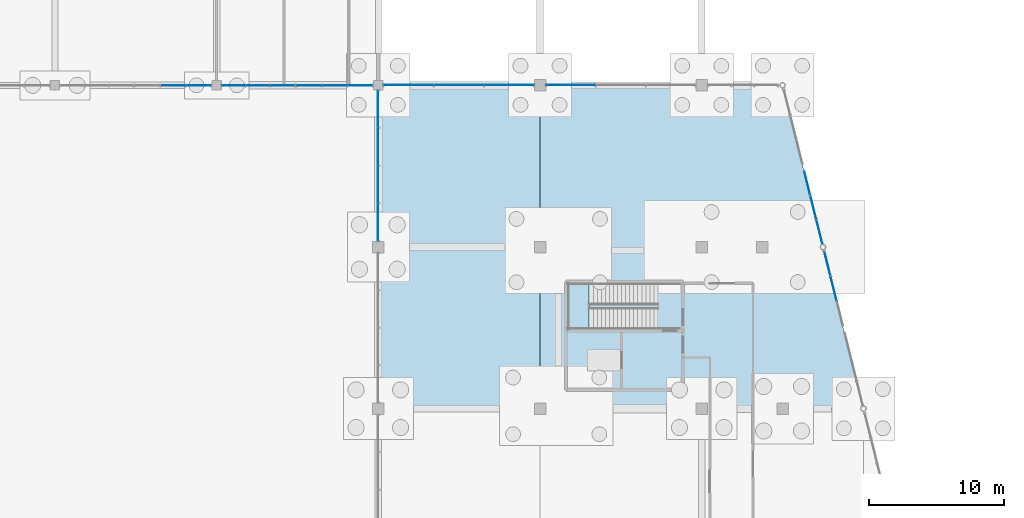
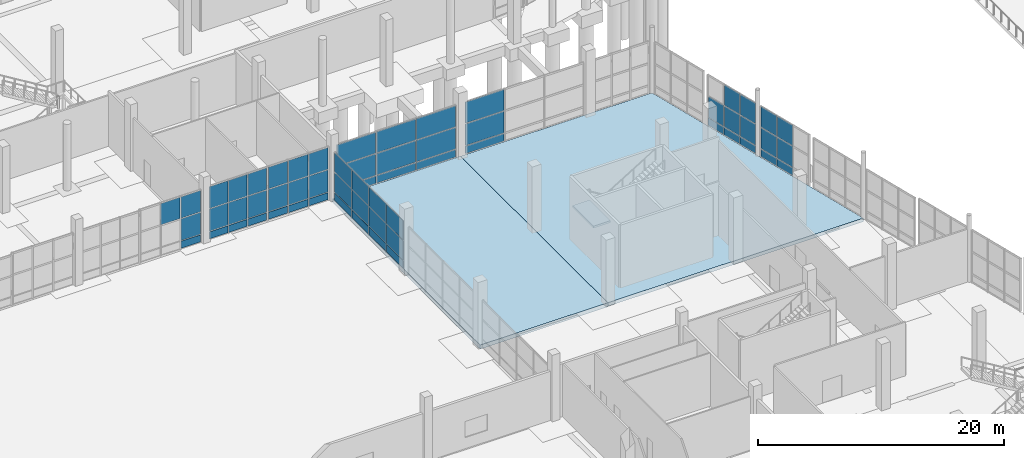
# One storey, part 68 of 117: 60 plates, 3 slabs, 9 elements without a shape of their own.
"""IFC4 building model written with IfcOpenShell, lengths in metres."""

from ifc_helpers import new_model, si_unit, direction, frame, origin, origin_2d, place, context, subcontext, project, spatial, polyline, rectangle, outline, extrude, material, layer, layer_set, type_object, element, aggregate, save


model = new_model("IFC4")

# Units and contexts
model_context = context("Model", 3, precision=1e-05, world=origin(), true_north=direction((0.0, 1.0)))
body_context = subcontext(model_context, "Body", "Model", "MODEL_VIEW")
ifc_project = project(units=[si_unit("LENGTHUNIT", "METRE"), si_unit("AREAUNIT", "SQUARE_METRE"), si_unit("VOLUMEUNIT", "CUBIC_METRE"), si_unit("PLANEANGLEUNIT", "RADIAN"), si_unit("MASSUNIT", "GRAM", prefix="KILO")], contexts=[model_context])

# Site, building, storey
site_placement = place(None, origin())
site = spatial("IfcSite", under=ifc_project, at=site_placement, CompositionType="ELEMENT")
building_placement = place(site_placement, origin())
building = spatial("IfcBuilding", under=site, at=building_placement, Name="Kamomehara Wholesale Market", CompositionType="ELEMENT")
storey_placement = place(building_placement, origin())
storey = spatial("IfcBuildingStorey", under=building, at=storey_placement, Name="L00", CompositionType="ELEMENT", Elevation=0.0)

# Curtain wall, plates
ifc_material_1 = material(Name="Anodised aluminium 6063-T5", Category="aluminium")
curtain_wall_type_1 = type_object("IfcCurtainWallType", Name="CW-UN-03", PredefinedType="NOTDEFINED", material=ifc_material_1)
curtain_wall_1_placement = place(storey_placement, origin())
curtain_wall_1 = element("IfcCurtainWall", 1, at=curtain_wall_1_placement, inside=storey, type_object=curtain_wall_type_1, Name="Unitised curtain wall CW-025", PredefinedType="NOTDEFINED")
ifc_material_2 = material(Name="Solar-control Low-E double glazing", Category="glass")
ifc_layer_1 = layer(ifc_material_2, 0.028076171875)
ifc_layer_set_1 = layer_set([ifc_layer_1], Name="Solar-control Low-E double glazing")
plate_type_1 = type_object("IfcPlateType", Name="CW-PNL-GLZ", PredefinedType="CURTAIN_PANEL", material=ifc_layer_set_1)
plate_1_placement = place(storey_placement, frame((142.64990234375, 95.97998046875, 0.82958984375), z_axis=(0.0, 0.0, 1.0), x_axis=(-1.0, 0.0, 0.0)))
plate_1 = element("IfcPlate", 2, at=plate_1_placement, type_object=plate_type_1, Name="Curtain panel CW-025.0.1", PredefinedType="CURTAIN_PANEL", context=body_context, shape_type="SweptSolid", body=[
    extrude(rectangle(XDim=1.820068359375, YDim=0.028076171875, at=origin_2d()), origin(), (0.0, 0.0, 1.0), 2.158935546875),
])
plate_2_placement = place(storey_placement, frame((142.64990234375, 95.97998046875, 3.04931640625), z_axis=(0.0, 0.0, 1.0), x_axis=(-1.0, 0.0, 0.0)))
plate_2 = element("IfcPlate", 3, at=plate_2_placement, type_object=plate_type_1, Name="Curtain panel CW-025.0.2", PredefinedType="CURTAIN_PANEL", context=body_context, shape_type="SweptSolid", body=[
    extrude(rectangle(XDim=1.820068359375, YDim=0.028076171875, at=origin_2d()), origin(), (0.0, 0.0, 1.0), 2.118896484375),
])
plate_3_placement = place(storey_placement, frame((140.75, 95.97998046875, 3.04931640625), z_axis=(0.0, 0.0, 1.0), x_axis=(-1.0, 0.0, 0.0)))
plate_3 = element("IfcPlate", 4, at=plate_3_placement, type_object=plate_type_1, Name="Curtain panel CW-025.1.2", PredefinedType="CURTAIN_PANEL", context=body_context, shape_type="SweptSolid", body=[
    extrude(rectangle(XDim=1.820068359375, YDim=0.028076171875, at=origin_2d()), origin(), (0.0, 0.0, 1.0), 2.118896484375),
])

curtain_wall_2_placement = place(storey_placement, origin())
curtain_wall_2 = element("IfcCurtainWall", 5, at=curtain_wall_2_placement, inside=storey, type_object=curtain_wall_type_1, Name="Unitised curtain wall CW-027", PredefinedType="NOTDEFINED")
plate_4_placement = place(storey_placement, frame((154.64990234375, 95.97998046875, 0.830078125), z_axis=(0.0, 0.0, 1.0), x_axis=(-1.0, 0.0, 0.0)))
plate_4 = element("IfcPlate", 6, at=plate_4_placement, type_object=plate_type_1, Name="Curtain panel CW-027.0.1", PredefinedType="CURTAIN_PANEL", context=body_context, shape_type="SweptSolid", body=[
    extrude(rectangle(XDim=1.820068359375, YDim=0.028076171875, at=origin_2d()), origin(), (0.0, 0.0, 1.0), 2.194091796875),
])
plate_5_placement = place(storey_placement, frame((154.64990234375, 95.97998046875, 3.083984375), z_axis=(0.0, 0.0, 1.0), x_axis=(-1.0, 0.0, 0.0)))
plate_5 = element("IfcPlate", 7, at=plate_5_placement, type_object=plate_type_1, Name="Curtain panel CW-027.0.2", PredefinedType="CURTAIN_PANEL", context=body_context, shape_type="SweptSolid", body=[
    extrude(rectangle(XDim=1.820068359375, YDim=0.028076171875, at=origin_2d()), origin(), (0.0, 0.0, 1.0), 2.154052734375),
])
plate_6_placement = place(storey_placement, frame((152.75, 95.97998046875, 0.830078125), z_axis=(0.0, 0.0, 1.0), x_axis=(-1.0, 0.0, 0.0)))
plate_6 = element("IfcPlate", 8, at=plate_6_placement, type_object=plate_type_1, Name="Curtain panel CW-027.1.1", PredefinedType="CURTAIN_PANEL", context=body_context, shape_type="SweptSolid", body=[
    extrude(rectangle(XDim=1.820068359375, YDim=0.028076171875, at=origin_2d()), origin(), (0.0, 0.0, 1.0), 2.194091796875),
])
plate_7_placement = place(storey_placement, frame((152.75, 95.97998046875, 3.083984375), z_axis=(0.0, 0.0, 1.0), x_axis=(-1.0, 0.0, 0.0)))
plate_7 = element("IfcPlate", 9, at=plate_7_placement, type_object=plate_type_1, Name="Curtain panel CW-027.1.2", PredefinedType="CURTAIN_PANEL", context=body_context, shape_type="SweptSolid", body=[
    extrude(rectangle(XDim=1.820068359375, YDim=0.028076171875, at=origin_2d()), origin(), (0.0, 0.0, 1.0), 2.154052734375),
])
plate_8_placement = place(storey_placement, frame((150.85009765625, 95.97998046875, 0.830078125), z_axis=(0.0, 0.0, 1.0), x_axis=(-1.0, 0.0, 0.0)))
plate_8 = element("IfcPlate", 10, at=plate_8_placement, type_object=plate_type_1, Name="Curtain panel CW-027.2.1", PredefinedType="CURTAIN_PANEL", context=body_context, shape_type="SweptSolid", body=[
    extrude(rectangle(XDim=1.820068359375, YDim=0.028076171875, at=origin_2d()), origin(), (0.0, 0.0, 1.0), 2.194091796875),
])
plate_9_placement = place(storey_placement, frame((150.85009765625, 95.97998046875, 3.083984375), z_axis=(0.0, 0.0, 1.0), x_axis=(-1.0, 0.0, 0.0)))
plate_9 = element("IfcPlate", 11, at=plate_9_placement, type_object=plate_type_1, Name="Curtain panel CW-027.2.2", PredefinedType="CURTAIN_PANEL", context=body_context, shape_type="SweptSolid", body=[
    extrude(rectangle(XDim=1.820068359375, YDim=0.028076171875, at=origin_2d()), origin(), (0.0, 0.0, 1.0), 2.154052734375),
])

curtain_wall_3_placement = place(storey_placement, origin())
curtain_wall_3 = element("IfcCurtainWall", 12, at=curtain_wall_3_placement, inside=storey, type_object=curtain_wall_type_1, Name="Unitised curtain wall CW-028", PredefinedType="NOTDEFINED")
plate_10_placement = place(storey_placement, frame((148.89306640625, 95.97998046875, 0.830078125), z_axis=(0.0, 0.0, 1.0), x_axis=(-1.0, 0.0, 0.0)))
plate_10 = element("IfcPlate", 13, at=plate_10_placement, type_object=plate_type_1, Name="Curtain panel CW-028.0.1", PredefinedType="CURTAIN_PANEL", context=body_context, shape_type="SweptSolid", body=[
    extrude(rectangle(XDim=1.73291015625, YDim=0.028076171875, at=origin_2d()), origin(), (0.0, 0.0, 1.0), 2.194091796875),
])
plate_11_placement = place(storey_placement, frame((148.89306640625, 95.97998046875, 3.083984375), z_axis=(0.0, 0.0, 1.0), x_axis=(-1.0, 0.0, 0.0)))
plate_11 = element("IfcPlate", 14, at=plate_11_placement, type_object=plate_type_1, Name="Curtain panel CW-028.0.2", PredefinedType="CURTAIN_PANEL", context=body_context, shape_type="SweptSolid", body=[
    extrude(rectangle(XDim=1.73291015625, YDim=0.028076171875, at=origin_2d()), origin(), (0.0, 0.0, 1.0), 2.154052734375),
])
plate_12_placement = place(storey_placement, frame((147.080078125, 95.97998046875, 0.830078125), z_axis=(0.0, 0.0, 1.0), x_axis=(-1.0, 0.0, 0.0)))
plate_12 = element("IfcPlate", 15, at=plate_12_placement, type_object=plate_type_1, Name="Curtain panel CW-028.1.1", PredefinedType="CURTAIN_PANEL", context=body_context, shape_type="SweptSolid", body=[
    extrude(rectangle(XDim=1.73291015625, YDim=0.028076171875, at=origin_2d()), origin(), (0.0, 0.0, 1.0), 2.194091796875),
])
plate_13_placement = place(storey_placement, frame((147.080078125, 95.97998046875, 3.083984375), z_axis=(0.0, 0.0, 1.0), x_axis=(-1.0, 0.0, 0.0)))
plate_13 = element("IfcPlate", 16, at=plate_13_placement, type_object=plate_type_1, Name="Curtain panel CW-028.1.2", PredefinedType="CURTAIN_PANEL", context=body_context, shape_type="SweptSolid", body=[
    extrude(rectangle(XDim=1.73291015625, YDim=0.028076171875, at=origin_2d()), origin(), (0.0, 0.0, 1.0), 2.154052734375),
])
plate_14_placement = place(storey_placement, frame((145.26708984375, 95.97998046875, 0.830078125), z_axis=(0.0, 0.0, 1.0), x_axis=(-1.0, 0.0, 0.0)))
plate_14 = element("IfcPlate", 17, at=plate_14_placement, type_object=plate_type_1, Name="Curtain panel CW-028.2.1", PredefinedType="CURTAIN_PANEL", context=body_context, shape_type="SweptSolid", body=[
    extrude(rectangle(XDim=1.73291015625, YDim=0.028076171875, at=origin_2d()), origin(), (0.0, 0.0, 1.0), 2.194091796875),
])
plate_15_placement = place(storey_placement, frame((145.26708984375, 95.97998046875, 3.083984375), z_axis=(0.0, 0.0, 1.0), x_axis=(-1.0, 0.0, 0.0)))
plate_15 = element("IfcPlate", 18, at=plate_15_placement, type_object=plate_type_1, Name="Curtain panel CW-028.2.2", PredefinedType="CURTAIN_PANEL", context=body_context, shape_type="SweptSolid", body=[
    extrude(rectangle(XDim=1.73291015625, YDim=0.028076171875, at=origin_2d()), origin(), (0.0, 0.0, 1.0), 2.154052734375),
])

ifc_material_3 = material(Name="Anodised aluminium 6063-T5", Category="aluminium")
curtain_wall_type_2 = type_object("IfcCurtainWallType", Name="CW-UN-09", PredefinedType="NOTDEFINED", material=ifc_material_3)
curtain_wall_4_placement = place(storey_placement, origin())
curtain_wall_4 = element("IfcCurtainWall", 19, at=curtain_wall_4_placement, inside=storey, type_object=curtain_wall_type_2, Name="Unitised curtain wall CW-167", PredefinedType="NOTDEFINED")
plate_16_placement = place(storey_placement, frame((189.333984375, 82.74609375, 0.87939453125), z_axis=(0.0, 0.0, 1.0), x_axis=(0.242616162662, -0.970122362187, 0.0)))
plate_16 = element("IfcPlate", 20, at=plate_16_placement, type_object=plate_type_1, Name="Curtain panel CW-167.0.1", PredefinedType="CURTAIN_PANEL", context=body_context, shape_type="SweptSolid", body=[
    extrude(rectangle(XDim=1.81494140625, YDim=0.028076171875, at=origin_2d()), origin(), (0.0, 0.0, 1.0), 2.0791015625),
])
plate_17_placement = place(storey_placement, frame((189.333984375, 82.74609375, 3.0185546875), z_axis=(0.0, 0.0, 1.0), x_axis=(0.242616162662, -0.970122362187, 0.0)))
plate_17 = element("IfcPlate", 21, at=plate_17_placement, type_object=plate_type_1, Name="Curtain panel CW-167.0.2", PredefinedType="CURTAIN_PANEL", context=body_context, shape_type="SweptSolid", body=[
    extrude(rectangle(XDim=1.81494140625, YDim=0.028076171875, at=origin_2d()), origin(), (0.0, 0.0, 1.0), 2.0390625),
])
plate_18_placement = place(storey_placement, frame((189.7939453125, 80.907958984375, 0.87939453125), z_axis=(0.0, 0.0, 1.0), x_axis=(0.242616162662, -0.970122362187, 0.0)))
plate_18 = element("IfcPlate", 22, at=plate_18_placement, type_object=plate_type_1, Name="Curtain panel CW-167.1.1", PredefinedType="CURTAIN_PANEL", context=body_context, shape_type="SweptSolid", body=[
    extrude(rectangle(XDim=1.81494140625, YDim=0.028076171875, at=origin_2d()), origin(), (0.0, 0.0, 1.0), 2.0791015625),
])
plate_19_placement = place(storey_placement, frame((189.7939453125, 80.907958984375, 3.0185546875), z_axis=(0.0, 0.0, 1.0), x_axis=(0.242616162662, -0.970122362187, 0.0)))
plate_19 = element("IfcPlate", 23, at=plate_19_placement, type_object=plate_type_1, Name="Curtain panel CW-167.1.2", PredefinedType="CURTAIN_PANEL", context=body_context, shape_type="SweptSolid", body=[
    extrude(rectangle(XDim=1.81494140625, YDim=0.028076171875, at=origin_2d()), origin(), (0.0, 0.0, 1.0), 2.0390625),
])

curtain_wall_5_placement = place(storey_placement, origin())
curtain_wall_5 = element("IfcCurtainWall", 24, at=curtain_wall_5_placement, inside=storey, type_object=curtain_wall_type_2, Name="Unitised curtain wall CW-170", PredefinedType="NOTDEFINED")
plate_20_placement = place(storey_placement, frame((187.83203125, 88.756103515625, 0.87939453125), z_axis=(0.0, 0.0, 1.0), x_axis=(0.242497638046, -0.970151996103, 0.0)))
plate_20 = element("IfcPlate", 25, at=plate_20_placement, type_object=plate_type_1, Name="Curtain panel CW-170.0.1", PredefinedType="CURTAIN_PANEL", context=body_context, shape_type="SweptSolid", body=[
    extrude(rectangle(XDim=1.7939453125, YDim=0.028076171875, at=origin_2d()), origin(), (0.0, 0.0, 1.0), 2.0791015625),
])
plate_21_placement = place(storey_placement, frame((188.285888671875, 86.93798828125, 0.87939453125), z_axis=(0.0, 0.0, 1.0), x_axis=(0.242497638046, -0.970151996103, 0.0)))
plate_21 = element("IfcPlate", 26, at=plate_21_placement, type_object=plate_type_1, Name="Curtain panel CW-170.1.1", PredefinedType="CURTAIN_PANEL", context=body_context, shape_type="SweptSolid", body=[
    extrude(rectangle(XDim=1.7939453125, YDim=0.028076171875, at=origin_2d()), origin(), (0.0, 0.0, 1.0), 2.0791015625),
])
plate_22_placement = place(storey_placement, frame((188.285888671875, 86.93798828125, 3.0185546875), z_axis=(0.0, 0.0, 1.0), x_axis=(0.242497638046, -0.970151996103, 0.0)))
plate_22 = element("IfcPlate", 27, at=plate_22_placement, type_object=plate_type_1, Name="Curtain panel CW-170.1.2", PredefinedType="CURTAIN_PANEL", context=body_context, shape_type="SweptSolid", body=[
    extrude(rectangle(XDim=1.7939453125, YDim=0.028076171875, at=origin_2d()), origin(), (0.0, 0.0, 1.0), 2.0390625),
])
plate_23_placement = place(storey_placement, frame((188.739990234375, 85.12109375, 0.87939453125), z_axis=(0.0, 0.0, 1.0), x_axis=(0.242497638046, -0.970151996103, 0.0)))
plate_23 = element("IfcPlate", 28, at=plate_23_placement, type_object=plate_type_1, Name="Curtain panel CW-170.2.1", PredefinedType="CURTAIN_PANEL", context=body_context, shape_type="SweptSolid", body=[
    extrude(rectangle(XDim=1.7939453125, YDim=0.028076171875, at=origin_2d()), origin(), (0.0, 0.0, 1.0), 2.0791015625),
])
plate_24_placement = place(storey_placement, frame((188.739990234375, 85.12109375, 3.0185546875), z_axis=(0.0, 0.0, 1.0), x_axis=(0.242497638046, -0.970151996103, 0.0)))
plate_24 = element("IfcPlate", 29, at=plate_24_placement, type_object=plate_type_1, Name="Curtain panel CW-170.2.2", PredefinedType="CURTAIN_PANEL", context=body_context, shape_type="SweptSolid", body=[
    extrude(rectangle(XDim=1.7939453125, YDim=0.028076171875, at=origin_2d()), origin(), (0.0, 0.0, 1.0), 2.0390625),
])

ifc_material_4 = material(Name="Anodised aluminium 6063-T5", Category="aluminium")
curtain_wall_type_3 = type_object("IfcCurtainWallType", Name="CW-UN-08", PredefinedType="NOTDEFINED", material=ifc_material_4)
curtain_wall_6_placement = place(storey_placement, origin())
curtain_wall_6 = element("IfcCurtainWall", 30, at=curtain_wall_6_placement, inside=storey, type_object=curtain_wall_type_3, Name="Unitised curtain wall CW-171", PredefinedType="NOTDEFINED")
plate_25_placement = place(storey_placement, frame((158.22802734375, 96.02001953125, 0.88037109375), z_axis=(0.0, 0.0, 1.0), x_axis=(1.0, 0.0, 0.0)))
plate_25 = element("IfcPlate", 31, at=plate_25_placement, type_object=plate_type_1, Name="Curtain panel CW-171.0.1", PredefinedType="CURTAIN_PANEL", context=body_context, shape_type="SweptSolid", body=[
    extrude(rectangle(XDim=3.655029296875, YDim=0.028076171875, at=origin_2d()), origin(), (0.0, 0.0, 1.0), 2.138916015625),
])
plate_26_placement = place(storey_placement, frame((158.22802734375, 96.02001953125, 3.078369140625), z_axis=(0.0, 0.0, 1.0), x_axis=(1.0, 0.0, 0.0)))
plate_26 = element("IfcPlate", 32, at=plate_26_placement, type_object=plate_type_1, Name="Curtain panel CW-171.0.2", PredefinedType="CURTAIN_PANEL", context=body_context, shape_type="SweptSolid", body=[
    extrude(rectangle(XDim=3.655029296875, YDim=0.028076171875, at=origin_2d()), origin(), (0.0, 0.0, 1.0), 2.09912109375),
])
plate_27_placement = place(storey_placement, frame((161.962890625, 96.02001953125, 0.88037109375), z_axis=(0.0, 0.0, 1.0), x_axis=(1.0, 0.0, 0.0)))
plate_27 = element("IfcPlate", 33, at=plate_27_placement, type_object=plate_type_1, Name="Curtain panel CW-171.1.1", PredefinedType="CURTAIN_PANEL", context=body_context, shape_type="SweptSolid", body=[
    extrude(rectangle(XDim=3.655029296875, YDim=0.028076171875, at=origin_2d()), origin(), (0.0, 0.0, 1.0), 2.138916015625),
])
plate_28_placement = place(storey_placement, frame((161.962890625, 96.02001953125, 3.078369140625), z_axis=(0.0, 0.0, 1.0), x_axis=(1.0, 0.0, 0.0)))
plate_28 = element("IfcPlate", 34, at=plate_28_placement, type_object=plate_type_1, Name="Curtain panel CW-171.1.2", PredefinedType="CURTAIN_PANEL", context=body_context, shape_type="SweptSolid", body=[
    extrude(rectangle(XDim=3.655029296875, YDim=0.028076171875, at=origin_2d()), origin(), (0.0, 0.0, 1.0), 2.09912109375),
])
plate_29_placement = place(storey_placement, frame((165.697021484375, 96.02001953125, 0.88037109375), z_axis=(0.0, 0.0, 1.0), x_axis=(1.0, 0.0, 0.0)))
plate_29 = element("IfcPlate", 35, at=plate_29_placement, type_object=plate_type_1, Name="Curtain panel CW-171.2.1", PredefinedType="CURTAIN_PANEL", context=body_context, shape_type="SweptSolid", body=[
    extrude(rectangle(XDim=3.655029296875, YDim=0.028076171875, at=origin_2d()), origin(), (0.0, 0.0, 1.0), 2.138916015625),
])
plate_30_placement = place(storey_placement, frame((165.697021484375, 96.02001953125, 3.078369140625), z_axis=(0.0, 0.0, 1.0), x_axis=(1.0, 0.0, 0.0)))
plate_30 = element("IfcPlate", 36, at=plate_30_placement, type_object=plate_type_1, Name="Curtain panel CW-171.2.2", PredefinedType="CURTAIN_PANEL", context=body_context, shape_type="SweptSolid", body=[
    extrude(rectangle(XDim=3.655029296875, YDim=0.028076171875, at=origin_2d()), origin(), (0.0, 0.0, 1.0), 2.09912109375),
])

curtain_wall_7_placement = place(storey_placement, origin())
curtain_wall_7 = element("IfcCurtainWall", 37, at=curtain_wall_7_placement, inside=storey, type_object=curtain_wall_type_3, Name="Unitised curtain wall CW-172", PredefinedType="NOTDEFINED")
plate_31_placement = place(storey_placement, frame((170.2900390625, 96.02001953125, 0.8798828125), z_axis=(0.0, 0.0, 1.0), x_axis=(1.0, 0.0, 0.0)))
plate_31 = element("IfcPlate", 38, at=plate_31_placement, type_object=plate_type_1, Name="Curtain panel CW-172.0.1", PredefinedType="CURTAIN_PANEL", context=body_context, shape_type="SweptSolid", body=[
    extrude(rectangle(XDim=3.6298828125, YDim=0.028076171875, at=origin_2d()), origin(), (0.0, 0.0, 1.0), 2.154052734375),
])
plate_32_placement = place(storey_placement, frame((170.2900390625, 96.02001953125, 3.09375), z_axis=(0.0, 0.0, 1.0), x_axis=(1.0, 0.0, 0.0)))
plate_32 = element("IfcPlate", 39, at=plate_32_placement, type_object=plate_type_1, Name="Curtain panel CW-172.0.2", PredefinedType="CURTAIN_PANEL", context=body_context, shape_type="SweptSolid", body=[
    extrude(rectangle(XDim=3.6298828125, YDim=0.028076171875, at=origin_2d()), origin(), (0.0, 0.0, 1.0), 2.114013671875),
])

ifc_material_5 = material(Name="Anodised aluminium 6063-T5", Category="aluminium")
curtain_wall_type_4 = type_object("IfcCurtainWallType", Name="CW-UN-01", PredefinedType="NOTDEFINED", material=ifc_material_5)
curtain_wall_8_placement = place(storey_placement, origin())
curtain_wall_8 = element("IfcCurtainWall", 40, at=curtain_wall_8_placement, inside=storey, type_object=curtain_wall_type_4, Name="Unitised curtain wall CW-176", PredefinedType="NOTDEFINED")
plate_33_placement = place(storey_placement, frame((155.97998046875, 85.8359375, 0.880615234375), z_axis=(0.0, 0.0, 1.0), x_axis=(0.0, 1.0, 0.0)))
plate_33 = element("IfcPlate", 41, at=plate_33_placement, type_object=plate_type_1, Name="Curtain panel CW-176.0.1", PredefinedType="CURTAIN_PANEL", context=body_context, shape_type="SweptSolid", body=[
    extrude(rectangle(XDim=2.720947265625, YDim=0.028076171875, at=origin_2d()), origin(), (0.0, 0.0, 1.0), 1.93896484375),
])
plate_34_placement = place(storey_placement, frame((155.97998046875, 85.8359375, 2.879638671875), z_axis=(0.0, 0.0, 1.0), x_axis=(0.0, 1.0, 0.0)))
plate_34 = element("IfcPlate", 42, at=plate_34_placement, type_object=plate_type_1, Name="Curtain panel CW-176.0.2", PredefinedType="CURTAIN_PANEL", context=body_context, shape_type="SweptSolid", body=[
    extrude(rectangle(XDim=2.720947265625, YDim=0.028076171875, at=origin_2d()), origin(), (0.0, 0.0, 1.0), 1.89892578125),
])
plate_35_placement = place(storey_placement, frame((155.97998046875, 88.636962890625, 0.880615234375), z_axis=(0.0, 0.0, 1.0), x_axis=(0.0, 1.0, 0.0)))
plate_35 = element("IfcPlate", 43, at=plate_35_placement, type_object=plate_type_1, Name="Curtain panel CW-176.1.1", PredefinedType="CURTAIN_PANEL", context=body_context, shape_type="SweptSolid", body=[
    extrude(rectangle(XDim=2.720947265625, YDim=0.028076171875, at=origin_2d()), origin(), (0.0, 0.0, 1.0), 1.93896484375),
])
plate_36_placement = place(storey_placement, frame((155.97998046875, 88.636962890625, 2.879638671875), z_axis=(0.0, 0.0, 1.0), x_axis=(0.0, 1.0, 0.0)))
plate_36 = element("IfcPlate", 44, at=plate_36_placement, type_object=plate_type_1, Name="Curtain panel CW-176.1.2", PredefinedType="CURTAIN_PANEL", context=body_context, shape_type="SweptSolid", body=[
    extrude(rectangle(XDim=2.720947265625, YDim=0.028076171875, at=origin_2d()), origin(), (0.0, 0.0, 1.0), 1.89892578125),
])
plate_37_placement = place(storey_placement, frame((155.97998046875, 91.43798828125, 0.880615234375), z_axis=(0.0, 0.0, 1.0), x_axis=(0.0, 1.0, 0.0)))
plate_37 = element("IfcPlate", 45, at=plate_37_placement, type_object=plate_type_1, Name="Curtain panel CW-176.2.1", PredefinedType="CURTAIN_PANEL", context=body_context, shape_type="SweptSolid", body=[
    extrude(rectangle(XDim=2.720947265625, YDim=0.028076171875, at=origin_2d()), origin(), (0.0, 0.0, 1.0), 1.93896484375),
])
plate_38_placement = place(storey_placement, frame((155.97998046875, 91.43798828125, 2.879638671875), z_axis=(0.0, 0.0, 1.0), x_axis=(0.0, 1.0, 0.0)))
plate_38 = element("IfcPlate", 46, at=plate_38_placement, type_object=plate_type_1, Name="Curtain panel CW-176.2.2", PredefinedType="CURTAIN_PANEL", context=body_context, shape_type="SweptSolid", body=[
    extrude(rectangle(XDim=2.720947265625, YDim=0.028076171875, at=origin_2d()), origin(), (0.0, 0.0, 1.0), 1.89892578125),
])
plate_39_placement = place(storey_placement, frame((155.97998046875, 94.239013671875, 0.880615234375), z_axis=(0.0, 0.0, 1.0), x_axis=(0.0, 1.0, 0.0)))
plate_39 = element("IfcPlate", 47, at=plate_39_placement, type_object=plate_type_1, Name="Curtain panel CW-176.3.1", PredefinedType="CURTAIN_PANEL", context=body_context, shape_type="SweptSolid", body=[
    extrude(rectangle(XDim=2.720947265625, YDim=0.028076171875, at=origin_2d()), origin(), (0.0, 0.0, 1.0), 1.93896484375),
])
plate_40_placement = place(storey_placement, frame((155.97998046875, 94.239013671875, 2.879638671875), z_axis=(0.0, 0.0, 1.0), x_axis=(0.0, 1.0, 0.0)))
plate_40 = element("IfcPlate", 48, at=plate_40_placement, type_object=plate_type_1, Name="Curtain panel CW-176.3.2", PredefinedType="CURTAIN_PANEL", context=body_context, shape_type="SweptSolid", body=[
    extrude(rectangle(XDim=2.720947265625, YDim=0.028076171875, at=origin_2d()), origin(), (0.0, 0.0, 1.0), 1.89892578125),
])

# Plate
ifc_material_6 = material(Name="Insulated aluminium spandrel panel", Category="aluminium")
ifc_layer_2 = layer(ifc_material_6, 0.0400390625)
ifc_layer_set_2 = layer_set([ifc_layer_2], Name="Insulated aluminium spandrel panel")
plate_type_2 = type_object("IfcPlateType", Name="CW-PNL-SPN", PredefinedType="CURTAIN_PANEL", material=ifc_layer_set_2)
plate_41_placement = place(storey_placement, frame((142.64990234375, 95.97998046875, 0.06982421875), z_axis=(0.0, 0.0, 1.0), x_axis=(-1.0, 0.0, 0.0)))
plate_41 = element("IfcPlate", 49, at=plate_41_placement, type_object=plate_type_2, Name="Curtain panel CW-025.0.0", PredefinedType="CURTAIN_PANEL", context=body_context, shape_type="SweptSolid", body=[
    extrude(rectangle(XDim=1.820068359375, YDim=0.0400390625, at=origin_2d()), origin(), (0.0, 0.0, 1.0), 0.699951171875),
])

aggregate(curtain_wall_1, [plate_41, plate_1, plate_2, plate_3])

plate_42_placement = place(storey_placement, frame((154.64990234375, 95.97998046875, 0.06982421875), z_axis=(0.0, 0.0, 1.0), x_axis=(-1.0, 0.0, 0.0)))
plate_42 = element("IfcPlate", 50, at=plate_42_placement, type_object=plate_type_2, Name="Curtain panel CW-027.0.0", PredefinedType="CURTAIN_PANEL", context=body_context, shape_type="SweptSolid", body=[
    extrude(rectangle(XDim=1.820068359375, YDim=0.0400390625, at=origin_2d()), origin(), (0.0, 0.0, 1.0), 0.699951171875),
])

plate_43_placement = place(storey_placement, frame((152.75, 95.97998046875, 0.06982421875), z_axis=(0.0, 0.0, 1.0), x_axis=(-1.0, 0.0, 0.0)))
plate_43 = element("IfcPlate", 51, at=plate_43_placement, type_object=plate_type_2, Name="Curtain panel CW-027.1.0", PredefinedType="CURTAIN_PANEL", context=body_context, shape_type="SweptSolid", body=[
    extrude(rectangle(XDim=1.820068359375, YDim=0.0400390625, at=origin_2d()), origin(), (0.0, 0.0, 1.0), 0.699951171875),
])

plate_44_placement = place(storey_placement, frame((150.85009765625, 95.97998046875, 0.06982421875), z_axis=(0.0, 0.0, 1.0), x_axis=(-1.0, 0.0, 0.0)))
plate_44 = element("IfcPlate", 52, at=plate_44_placement, type_object=plate_type_2, Name="Curtain panel CW-027.2.0", PredefinedType="CURTAIN_PANEL", context=body_context, shape_type="SweptSolid", body=[
    extrude(rectangle(XDim=1.820068359375, YDim=0.0400390625, at=origin_2d()), origin(), (0.0, 0.0, 1.0), 0.699951171875),
])

aggregate(curtain_wall_2, [plate_42, plate_4, plate_5, plate_43, plate_6, plate_7, plate_44, plate_8, plate_9])

plate_45_placement = place(storey_placement, frame((148.89306640625, 95.97998046875, 0.06982421875), z_axis=(0.0, 0.0, 1.0), x_axis=(-1.0, 0.0, 0.0)))
plate_45 = element("IfcPlate", 53, at=plate_45_placement, type_object=plate_type_2, Name="Curtain panel CW-028.0.0", PredefinedType="CURTAIN_PANEL", context=body_context, shape_type="SweptSolid", body=[
    extrude(rectangle(XDim=1.73291015625, YDim=0.0400390625, at=origin_2d()), origin(), (0.0, 0.0, 1.0), 0.699951171875),
])

plate_46_placement = place(storey_placement, frame((147.080078125, 95.97998046875, 0.06982421875), z_axis=(0.0, 0.0, 1.0), x_axis=(-1.0, 0.0, 0.0)))
plate_46 = element("IfcPlate", 54, at=plate_46_placement, type_object=plate_type_2, Name="Curtain panel CW-028.1.0", PredefinedType="CURTAIN_PANEL", context=body_context, shape_type="SweptSolid", body=[
    extrude(rectangle(XDim=1.73291015625, YDim=0.0400390625, at=origin_2d()), origin(), (0.0, 0.0, 1.0), 0.699951171875),
])

plate_47_placement = place(storey_placement, frame((145.26708984375, 95.97998046875, 0.06982421875), z_axis=(0.0, 0.0, 1.0), x_axis=(-1.0, 0.0, 0.0)))
plate_47 = element("IfcPlate", 55, at=plate_47_placement, type_object=plate_type_2, Name="Curtain panel CW-028.2.0", PredefinedType="CURTAIN_PANEL", context=body_context, shape_type="SweptSolid", body=[
    extrude(rectangle(XDim=1.73291015625, YDim=0.0400390625, at=origin_2d()), origin(), (0.0, 0.0, 1.0), 0.699951171875),
])

aggregate(curtain_wall_3, [plate_45, plate_10, plate_11, plate_46, plate_12, plate_13, plate_47, plate_14, plate_15])

plate_48_placement = place(storey_placement, frame((189.333984375, 82.74609375, 0.070068359375), z_axis=(0.0, 0.0, 1.0), x_axis=(0.242616162662, -0.970122362187, 0.0)))
plate_48 = element("IfcPlate", 56, at=plate_48_placement, type_object=plate_type_2, Name="Curtain panel CW-167.0.0", PredefinedType="CURTAIN_PANEL", context=body_context, shape_type="SweptSolid", body=[
    extrude(rectangle(XDim=1.81494140625, YDim=0.0400390625, at=origin_2d()), origin(), (0.0, 0.0, 1.0), 0.75),
])

plate_49_placement = place(storey_placement, frame((189.7939453125, 80.907958984375, 0.070068359375), z_axis=(0.0, 0.0, 1.0), x_axis=(0.242616162662, -0.970122362187, 0.0)))
plate_49 = element("IfcPlate", 57, at=plate_49_placement, type_object=plate_type_2, Name="Curtain panel CW-167.1.0", PredefinedType="CURTAIN_PANEL", context=body_context, shape_type="SweptSolid", body=[
    extrude(rectangle(XDim=1.81494140625, YDim=0.0400390625, at=origin_2d()), origin(), (0.0, 0.0, 1.0), 0.75),
])

aggregate(curtain_wall_4, [plate_48, plate_16, plate_17, plate_49, plate_18, plate_19])

plate_50_placement = place(storey_placement, frame((187.83203125, 88.756103515625, 0.070068359375), z_axis=(0.0, 0.0, 1.0), x_axis=(0.242497638046, -0.970151996103, 0.0)))
plate_50 = element("IfcPlate", 58, at=plate_50_placement, type_object=plate_type_2, Name="Curtain panel CW-170.0.0", PredefinedType="CURTAIN_PANEL", context=body_context, shape_type="SweptSolid", body=[
    extrude(rectangle(XDim=1.7939453125, YDim=0.0400390625, at=origin_2d()), origin(), (0.0, 0.0, 1.0), 0.75),
])

plate_51_placement = place(storey_placement, frame((188.285888671875, 86.93798828125, 0.070068359375), z_axis=(0.0, 0.0, 1.0), x_axis=(0.242497638046, -0.970151996103, 0.0)))
plate_51 = element("IfcPlate", 59, at=plate_51_placement, type_object=plate_type_2, Name="Curtain panel CW-170.1.0", PredefinedType="CURTAIN_PANEL", context=body_context, shape_type="SweptSolid", body=[
    extrude(rectangle(XDim=1.7939453125, YDim=0.0400390625, at=origin_2d()), origin(), (0.0, 0.0, 1.0), 0.75),
])

plate_52_placement = place(storey_placement, frame((188.739990234375, 85.12109375, 0.070068359375), z_axis=(0.0, 0.0, 1.0), x_axis=(0.242497638046, -0.970151996103, 0.0)))
plate_52 = element("IfcPlate", 60, at=plate_52_placement, type_object=plate_type_2, Name="Curtain panel CW-170.2.0", PredefinedType="CURTAIN_PANEL", context=body_context, shape_type="SweptSolid", body=[
    extrude(rectangle(XDim=1.7939453125, YDim=0.0400390625, at=origin_2d()), origin(), (0.0, 0.0, 1.0), 0.75),
])

aggregate(curtain_wall_5, [plate_50, plate_20, plate_51, plate_21, plate_22, plate_52, plate_23, plate_24])

plate_53_placement = place(storey_placement, frame((158.22802734375, 96.02001953125, 0.070068359375), z_axis=(0.0, 0.0, 1.0), x_axis=(1.0, 0.0, 0.0)))
plate_53 = element("IfcPlate", 61, at=plate_53_placement, type_object=plate_type_2, Name="Curtain panel CW-171.0.0", PredefinedType="CURTAIN_PANEL", context=body_context, shape_type="SweptSolid", body=[
    extrude(rectangle(XDim=3.655029296875, YDim=0.0400390625, at=origin_2d()), origin(), (0.0, 0.0, 1.0), 0.75),
])

plate_54_placement = place(storey_placement, frame((161.962890625, 96.02001953125, 0.070068359375), z_axis=(0.0, 0.0, 1.0), x_axis=(1.0, 0.0, 0.0)))
plate_54 = element("IfcPlate", 62, at=plate_54_placement, type_object=plate_type_2, Name="Curtain panel CW-171.1.0", PredefinedType="CURTAIN_PANEL", context=body_context, shape_type="SweptSolid", body=[
    extrude(rectangle(XDim=3.655029296875, YDim=0.0400390625, at=origin_2d()), origin(), (0.0, 0.0, 1.0), 0.75),
])

plate_55_placement = place(storey_placement, frame((165.697021484375, 96.02001953125, 0.070068359375), z_axis=(0.0, 0.0, 1.0), x_axis=(1.0, 0.0, 0.0)))
plate_55 = element("IfcPlate", 63, at=plate_55_placement, type_object=plate_type_2, Name="Curtain panel CW-171.2.0", PredefinedType="CURTAIN_PANEL", context=body_context, shape_type="SweptSolid", body=[
    extrude(rectangle(XDim=3.655029296875, YDim=0.0400390625, at=origin_2d()), origin(), (0.0, 0.0, 1.0), 0.75),
])

aggregate(curtain_wall_6, [plate_53, plate_25, plate_26, plate_54, plate_27, plate_28, plate_55, plate_29, plate_30])

plate_56_placement = place(storey_placement, frame((170.2900390625, 96.02001953125, 0.070068359375), z_axis=(0.0, 0.0, 1.0), x_axis=(1.0, 0.0, 0.0)))
plate_56 = element("IfcPlate", 64, at=plate_56_placement, type_object=plate_type_2, Name="Curtain panel CW-172.0.0", PredefinedType="CURTAIN_PANEL", context=body_context, shape_type="SweptSolid", body=[
    extrude(rectangle(XDim=3.6298828125, YDim=0.0400390625, at=origin_2d()), origin(), (0.0, 0.0, 1.0), 0.75),
])

aggregate(curtain_wall_7, [plate_56, plate_31, plate_32])

plate_57_placement = place(storey_placement, frame((155.97998046875, 85.8359375, 0.070068359375), z_axis=(0.0, 0.0, 1.0), x_axis=(0.0, 1.0, 0.0)))
plate_57 = element("IfcPlate", 65, at=plate_57_placement, type_object=plate_type_2, Name="Curtain panel CW-176.0.0", PredefinedType="CURTAIN_PANEL", context=body_context, shape_type="SweptSolid", body=[
    extrude(rectangle(XDim=2.720947265625, YDim=0.0400390625, at=origin_2d()), origin(), (0.0, 0.0, 1.0), 0.75),
])

plate_58_placement = place(storey_placement, frame((155.97998046875, 88.636962890625, 0.070068359375), z_axis=(0.0, 0.0, 1.0), x_axis=(0.0, 1.0, 0.0)))
plate_58 = element("IfcPlate", 66, at=plate_58_placement, type_object=plate_type_2, Name="Curtain panel CW-176.1.0", PredefinedType="CURTAIN_PANEL", context=body_context, shape_type="SweptSolid", body=[
    extrude(rectangle(XDim=2.720947265625, YDim=0.0400390625, at=origin_2d()), origin(), (0.0, 0.0, 1.0), 0.75),
])

plate_59_placement = place(storey_placement, frame((155.97998046875, 91.43798828125, 0.070068359375), z_axis=(0.0, 0.0, 1.0), x_axis=(0.0, 1.0, 0.0)))
plate_59 = element("IfcPlate", 67, at=plate_59_placement, type_object=plate_type_2, Name="Curtain panel CW-176.2.0", PredefinedType="CURTAIN_PANEL", context=body_context, shape_type="SweptSolid", body=[
    extrude(rectangle(XDim=2.720947265625, YDim=0.0400390625, at=origin_2d()), origin(), (0.0, 0.0, 1.0), 0.75),
])

plate_60_placement = place(storey_placement, frame((155.97998046875, 94.239013671875, 0.070068359375), z_axis=(0.0, 0.0, 1.0), x_axis=(0.0, 1.0, 0.0)))
plate_60 = element("IfcPlate", 68, at=plate_60_placement, type_object=plate_type_2, Name="Curtain panel CW-176.3.0", PredefinedType="CURTAIN_PANEL", context=body_context, shape_type="SweptSolid", body=[
    extrude(rectangle(XDim=2.720947265625, YDim=0.0400390625, at=origin_2d()), origin(), (0.0, 0.0, 1.0), 0.75),
])

aggregate(curtain_wall_8, [plate_57, plate_33, plate_34, plate_58, plate_35, plate_36, plate_59, plate_37, plate_38, plate_60, plate_39, plate_40])

# Slabs
ifc_material_7 = material(Name="Concrete Fc30 (C30/37)", Category="concrete")
ifc_layer_3 = layer(ifc_material_7, 0.35009765625)
ifc_layer_set_3 = layer_set([ifc_layer_3], Name="Concrete Fc30 (C30/37)")
slab_type_1 = type_object("IfcSlabType", Name="SLB-BASE-350", PredefinedType="BASESLAB", material=ifc_layer_set_3)
slab_1_placement = place(storey_placement, frame((0.0, 0.0, -0.35009765625)))
element("IfcSlab", 69, at=slab_1_placement, inside=storey, type_object=slab_type_1, Name="Floor slab V2 L00 61", PredefinedType="BASESLAB", context=body_context, shape_type="SweptSolid", body=[
    extrude(outline(polyline([(186.0, 96.0), (189.0, 84.0), (192.0, 72.0), (168.0, 72.0), (168.0, 96.0), (186.0, 96.0)])), origin(), (0.0, 0.0, 1.0), 0.35009765625),
])
ifc_material_8 = material(Name="Concrete Fc30 (C30/37)", Category="concrete")
ifc_layer_4 = layer(ifc_material_8, 0.39990234375)
ifc_layer_set_4 = layer_set([ifc_layer_4], Name="Concrete Fc30 (C30/37)")
slab_type_2 = type_object("IfcSlabType", Name="SLB-BASE-400", PredefinedType="BASESLAB", material=ifc_layer_set_4)
slab_2_placement = place(storey_placement, frame((0.0, 0.0, -0.39990234375)))
element("IfcSlab", 70, at=slab_2_placement, inside=storey, type_object=slab_type_2, Name="Floor slab V2 L00 58", PredefinedType="BASESLAB", context=body_context, shape_type="SweptSolid", body=[
    extrude(outline(polyline([(168.0, 72.0), (156.0, 72.0), (156.0, 96.0), (168.0, 96.0), (168.0, 72.0)])), origin(), (0.0, 0.0, 1.0), 0.39990234375),
])

# Stair, slab
ifc_material_9 = material(Name="Concrete Fc36 (C35/45)", Category="concrete")
stair_type = type_object("IfcStairType", Name="STR-DL-02", PredefinedType="HALF_TURN_STAIR", material=ifc_material_9)
stair_placement = place(storey_placement, origin())
stair = element("IfcStair", 71, at=stair_placement, inside=storey, type_object=stair_type, Name="L00 Core exit stair ST-09", PredefinedType="HALF_TURN_STAIR")
ifc_material_10 = material(Name="Concrete Fc36 (C35/45)", Category="concrete")
ifc_layer_5 = layer(ifc_material_10, 0.199951171875)
ifc_layer_set_5 = layer_set([ifc_layer_5], Name="Concrete Fc36 (C35/45)")
slab_type_3 = type_object("IfcSlabType", Name="SLB-LND-200", PredefinedType="LANDING", material=ifc_layer_set_5)
slab_3_placement = place(storey_placement, frame((0.0, 0.0, 3.10009765625)))
slab_3 = element("IfcSlab", 72, at=slab_3_placement, type_object=slab_type_3, Name="ST-09 landing 1", PredefinedType="LANDING", context=body_context, shape_type="SweptSolid", body=[
    extrude(outline(polyline([(171.64990234375, 81.300048828125), (170.050048828125, 81.300048828125), (170.050048828125, 77.89990234375), (171.64990234375, 77.89990234375), (171.64990234375, 81.300048828125)])), origin(), (0.0, 0.0, 1.0), 0.199951171875),
])
aggregate(stair, [slab_3])

save(model, "model.ifc")
